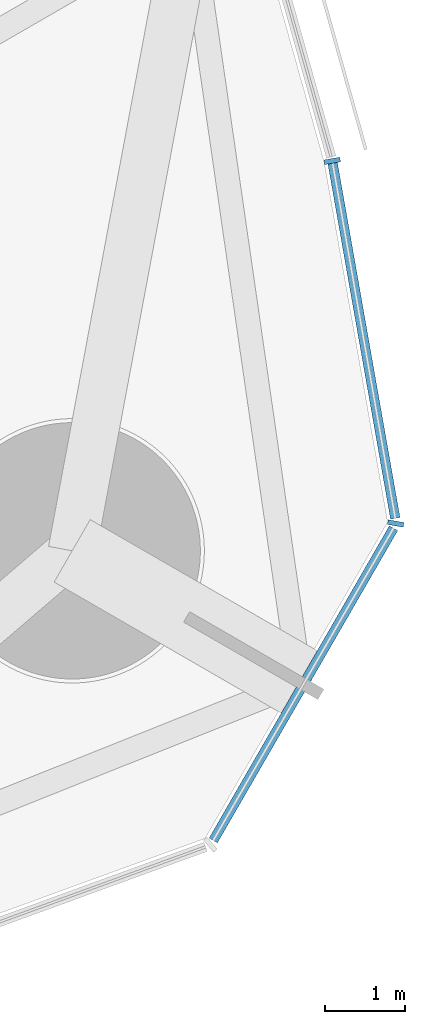
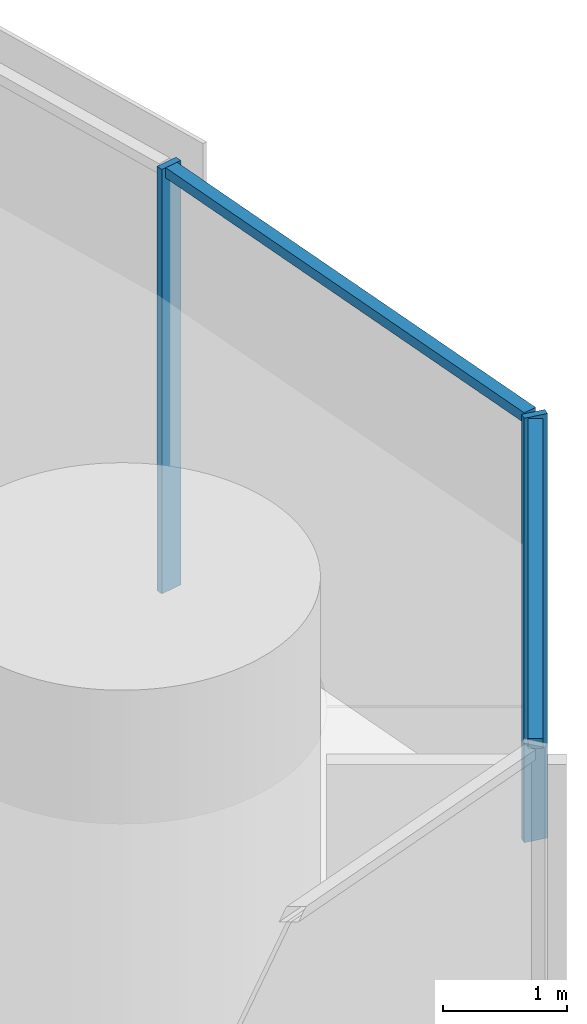
# One storey, part 9 of 19: 4 members, 1 element without a shape of its own.
"""IFC4 building model written with IfcOpenShell, lengths in metres."""

from ifc_helpers import new_model, si_unit, direction, frame, origin, origin_2d, place, context, subcontext, project, spatial, rectangle, extrude, material, material_profile, profile_set, type_object, element, aggregate, save


model = new_model("IFC4")

# Units and contexts
model_context = context("Model", 3, precision=1e-05, world=origin(), true_north=direction((0.0, 1.0)))
body_context = subcontext(model_context, "Body", "Model", "MODEL_VIEW")
ifc_project = project(units=[si_unit("LENGTHUNIT", "METRE"), si_unit("AREAUNIT", "SQUARE_METRE"), si_unit("VOLUMEUNIT", "CUBIC_METRE"), si_unit("PLANEANGLEUNIT", "RADIAN"), si_unit("MASSUNIT", "GRAM", prefix="KILO")], contexts=[model_context])

# Site, building, storey
site_placement = place(None, origin())
site = spatial("IfcSite", under=ifc_project, at=site_placement, CompositionType="ELEMENT")
building_placement = place(site_placement, origin())
building = spatial("IfcBuilding", under=site, at=building_placement, Name="Trefoil Bronze Tower", CompositionType="ELEMENT")
storey_placement = place(building_placement, frame((0.0, 0.0, 223.300048828125)))
storey = spatial("IfcBuildingStorey", under=building, at=storey_placement, Name="L51", CompositionType="ELEMENT", Elevation=223.300048828125)

# Curtain wall, members
ifc_material_1 = material(Name="Tinted solar-control glass", Category="glass")
curtain_wall_type = type_object("IfcCurtainWallType", Name="Bronze rounded corner curtain wall", PredefinedType="USERDEFINED", material=ifc_material_1)
curtain_wall_placement = place(storey_placement, origin())
curtain_wall = element("IfcCurtainWall", 1, at=curtain_wall_placement, inside=storey, type_object=curtain_wall_type, Name="CW-B L51 K1", ObjectType="CURTAIN WALL", PredefinedType="USERDEFINED")
ifc_material_2 = material(Name="Bronze-finish aluminium", Category="aluminium")
ifc_material_profile_1 = material_profile(ifc_material_2, rectangle(XDim=0.199951171875, YDim=0.06005859375, at=origin_2d()), Name="CW-B mullion")
ifc_profile_set_1 = profile_set([ifc_material_profile_1], Name="Bronze-finish aluminium")
member_type_1 = type_object("IfcMemberType", Name="Bronze rounded corner curtain wall mullion", PredefinedType="MULLION", material=ifc_profile_set_1)
member_1_placement = place(storey_placement, frame((32.616943359375, -16.158935546875, 0.0), z_axis=(0.0, 0.0, 1.0), x_axis=(-0.984807753012, 0.173648177667, 0.0)))
member_1 = element("IfcMember", 2, at=member_1_placement, type_object=member_type_1, Name="CW-B L51 K1 mullion 3", PredefinedType="MULLION", context=body_context, shape_type="SweptSolid", body=[
    extrude(rectangle(XDim=0.199951171875, YDim=0.06005859375, at=origin_2d()), origin(), (0.0, 0.0, 1.0), 4.179931640625),
])
member_2_placement = place(storey_placement, frame((31.824951171875, -11.63330078125, 0.0), z_axis=(0.0, 0.0, 1.0), x_axis=(-0.984807753012, -0.173648177667, 0.0)))
member_2 = element("IfcMember", 3, at=member_2_placement, type_object=member_type_1, Name="CW-B L51 K1 mullion 4", PredefinedType="MULLION", context=body_context, shape_type="SweptSolid", body=[
    extrude(rectangle(XDim=0.199951171875, YDim=0.06005859375, at=origin_2d()), origin(), (0.0, 0.0, 1.0), 4.179931640625),
])
ifc_material_3 = material(Name="Bronze-finish aluminium", Category="aluminium")
ifc_material_profile_2 = material_profile(ifc_material_3, rectangle(XDim=0.1201171875, YDim=0.10009765625, at=origin_2d()), Name="CW-B transom")
ifc_profile_set_2 = profile_set([ifc_material_profile_2], Name="Bronze-finish aluminium")
member_type_2 = type_object("IfcMemberType", Name="Bronze rounded corner curtain wall transom", PredefinedType="USERDEFINED", material=ifc_profile_set_2)
member_3_placement = place(storey_placement, frame((30.33984375, -20.114990234375, 4.1298828125), z_axis=(0.500007335828, 0.866021168401, 0.0), x_axis=(-0.866021168401, 0.500007335828, 0.0)))
member_3 = element("IfcMember", 4, at=member_3_placement, type_object=member_type_2, Name="CW-B L51 K1 transom 2", ObjectType="TRANSOM", PredefinedType="USERDEFINED", context=body_context, shape_type="SweptSolid", body=[
    extrude(rectangle(XDim=0.1201171875, YDim=0.10009765625, at=origin_2d()), origin(), (0.0, 0.0, 1.0), 4.50048828125),
])
member_4_placement = place(storey_placement, frame((32.611572265625, -16.0947265625, 4.1298828125), z_axis=(-0.173655350028, 0.984806488304, 0.0), x_axis=(-0.984806488304, -0.173655350028, 0.0)))
member_4 = element("IfcMember", 5, at=member_4_placement, type_object=member_type_2, Name="CW-B L51 K1 transom 3", ObjectType="TRANSOM", PredefinedType="USERDEFINED", context=body_context, shape_type="SweptSolid", body=[
    extrude(rectangle(XDim=0.1201171875, YDim=0.10009765625, at=origin_2d()), origin(), (0.0, 0.0, 1.0), 4.500244140625),
])
aggregate(curtain_wall, [member_1, member_2, member_3, member_4])

save(model, "model.ifc")
